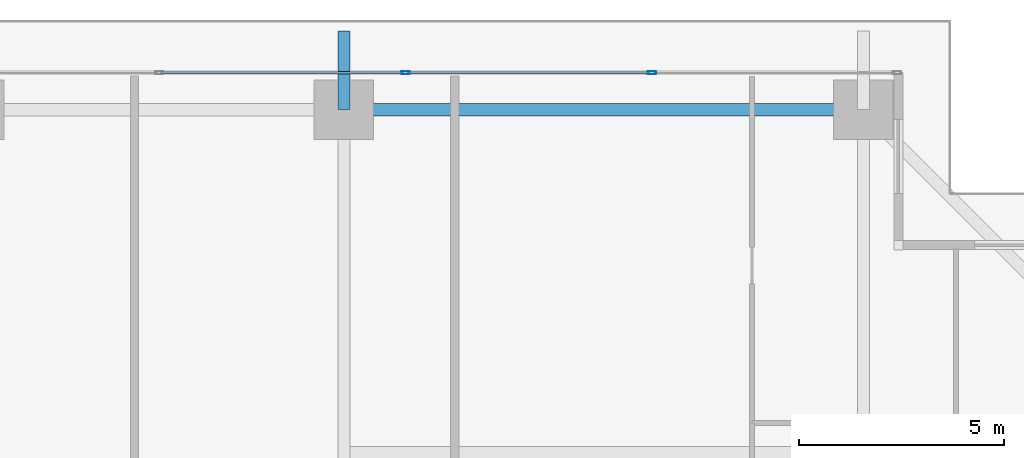
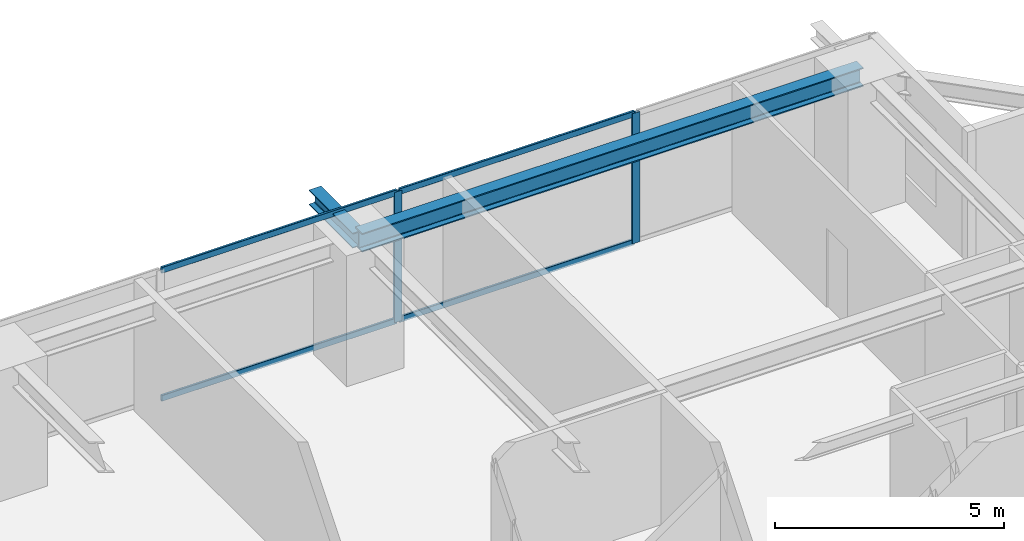
# One storey, part 24 of 40: 6 members, 2 beams, 1 element without a shape of its own.
"""IFC4 building model written with IfcOpenShell, lengths in metres."""

import ifcopenshell
import ifcopenshell.guid

model = None  # the IFC model being written
_history = None  # IfcOwnerHistory: only IFC2X3 demands one
_inside = {}  # id of a spatial element -> (the spatial element, [elements in it])
_under = {}  # id of a project, library or spatial element -> (it, [spatial elements below it])
_declared = {}  # id of a project -> (the project, [libraries it declares])
_typed = {}  # id of a type object -> (the type object, [elements of that type])
_made_of = {}  # id of a material, layer set ... -> (it, [elements and type objects made of it])


def new_model(schema):
    """Start an empty IFC model of exactly this schema.

    Asked for "IFC4X3", IfcOpenShell would pick the latest addendum, in which some entities
    have other attributes; the version numbers below select the first issue.
    IFC2X3 requires an IfcOwnerHistory on every rooted entity: one is made here for all.
    """
    global model, _history
    if schema == "IFC4X3":
        model = ifcopenshell.file(schema_version=(4, 3, 0, 0))
    else:
        model = ifcopenshell.file(schema=schema)
    _inside.clear()
    _under.clear()
    _declared.clear()
    _typed.clear()
    _made_of.clear()
    _history = None
    if model.schema == "IFC2X3":
        org = make("IfcOrganization", Name="unknown")
        user = make(
            "IfcPersonAndOrganization",
            ThePerson=make("IfcPerson", FamilyName="unknown"),
            TheOrganization=org,
        )
        app = make(
            "IfcApplication",
            ApplicationDeveloper=org,
            Version="unknown",
            ApplicationFullName="unknown",
            ApplicationIdentifier="unknown",
        )
        _history = make(
            "IfcOwnerHistory",
            OwningUser=user,
            OwningApplication=app,
            ChangeAction="ADDED",
            CreationDate=0,
        )
    return model


def make(cls, **values):
    """One entity of the class cls with the attributes given. An attribute that is None is left unset."""
    return model.create_entity(
        cls, **{name: value for name, value in values.items() if value is not None}
    )


def rooted(cls, **values):
    """An entity with a GlobalId (a new one), such as an element, a storey or a relation."""
    return make(cls, GlobalId=ifcopenshell.guid.new(), OwnerHistory=_history, **values)


def si_unit(unit_type, name, prefix=None):
    """IfcSIUnit, for example si_unit("LENGTHUNIT", "METRE", prefix="MILLI")."""
    return make("IfcSIUnit", UnitType=unit_type, Prefix=prefix, Name=name)


def assignment(units):
    """IfcUnitAssignment: the units of a project."""
    return None if units is None else make("IfcUnitAssignment", Units=units)


def point(xyz):
    """IfcCartesianPoint."""
    return None if xyz is None else make("IfcCartesianPoint", Coordinates=xyz)


def direction(xyz):
    """IfcDirection."""
    return None if xyz is None else make("IfcDirection", DirectionRatios=xyz)


def frame(location, z_axis=None, x_axis=None):
    """IfcAxis2Placement3D, a coordinate frame: its origin and axes. An axis left out is left unset."""
    return make(
        "IfcAxis2Placement3D",
        Location=point(location),
        Axis=direction(z_axis),
        RefDirection=direction(x_axis),
    )


def frame_2d(location, x_axis=None):
    """IfcAxis2Placement2D, a coordinate frame in the plane: its origin and x axis."""
    return make(
        "IfcAxis2Placement2D", Location=point(location), RefDirection=direction(x_axis)
    )


def origin():
    """The frame at (0, 0, 0) with its axes left unset."""
    return frame((0.0, 0.0, 0.0))


def origin_2d():
    """The frame at (0, 0) in the plane with its x axis left unset."""
    return frame_2d((0.0, 0.0))


def place(relative_to, where):
    """IfcLocalPlacement: puts the frame where relative to a parent placement (None: the world)."""
    return make(
        "IfcLocalPlacement", PlacementRelTo=relative_to, RelativePlacement=where
    )


def context(
    kind, dimensions, precision=None, world=None, true_north=None, identifier=None
):
    """IfcGeometricRepresentationContext, for example the 3D "Model" context."""
    return make(
        "IfcGeometricRepresentationContext",
        ContextIdentifier=identifier,
        ContextType=kind,
        CoordinateSpaceDimension=dimensions,
        Precision=precision,
        WorldCoordinateSystem=world,
        TrueNorth=true_north,
    )


def subcontext(parent, identifier, kind, view, scale=None):
    """IfcGeometricRepresentationSubContext, for example "Body" below "Model"."""
    return make(
        "IfcGeometricRepresentationSubContext",
        ContextIdentifier=identifier,
        ContextType=kind,
        ParentContext=parent,
        TargetScale=scale,
        TargetView=view,
    )


def project(units=None, contexts=None):
    """IfcProject with its units and contexts."""
    return rooted(
        "IfcProject",
        Name="project",
        RepresentationContexts=contexts,
        UnitsInContext=assignment(units),
    )


def spatial(cls, under=None, at=None, **own):
    """A site, building, storey or space (cls), placed at a placement, below another one or the project."""
    s = rooted(cls, ObjectPlacement=at, **own)
    if under is not None:
        _under.setdefault(under.id(), (under, []))[1].append(s)
    return s


def profile(cls, at=None, kind="AREA", **sizes):
    """A parametric profile (cls). Its sizes go by their IFC names, for example OverallWidth=200.0."""
    return make(cls, ProfileType=kind, Position=at, **sizes)


def hollow_rectangle(**sizes):
    """IfcRectangleHollowProfileDef."""
    return profile("IfcRectangleHollowProfileDef", **sizes)


def i_section(**sizes):
    """IfcIShapeProfileDef."""
    return profile("IfcIShapeProfileDef", **sizes)


def extrude(swept, where, along, depth):
    """IfcExtrudedAreaSolid: the profile swept, set in the frame where, extruded along a direction by depth."""
    return make(
        "IfcExtrudedAreaSolid",
        SweptArea=swept,
        Position=where,
        ExtrudedDirection=direction(along),
        Depth=depth,
    )


def shape(context_of_items, identifier, shape_type, items):
    """IfcShapeRepresentation: the items that make up one representation, for example the "Body"."""
    return make(
        "IfcShapeRepresentation",
        ContextOfItems=context_of_items,
        RepresentationIdentifier=identifier,
        RepresentationType=shape_type,
        Items=items,
    )


def source(mapping_origin, context_of_items, identifier, shape_type, items):
    """IfcRepresentationMap: a shape defined once, which mapped items show again and again."""
    return make(
        "IfcRepresentationMap",
        MappingOrigin=mapping_origin,
        MappedRepresentation=shape(context_of_items, identifier, shape_type, items),
    )


def transform(
    local_origin,
    x_axis=None,
    y_axis=None,
    z_axis=None,
    scale=None,
    scale2=None,
    scale3=None,
    uniform=True,
):
    """IfcCartesianTransformationOperator3D, or its non-uniform kind. x_axis, y_axis, z_axis: its Axis1, 2, 3."""
    if uniform:
        return make(
            "IfcCartesianTransformationOperator3D",
            Axis1=direction(x_axis),
            Axis2=direction(y_axis),
            LocalOrigin=point(local_origin),
            Scale=scale,
            Axis3=direction(z_axis),
        )
    return make(
        "IfcCartesianTransformationOperator3DnonUniform",
        Axis1=direction(x_axis),
        Axis2=direction(y_axis),
        LocalOrigin=point(local_origin),
        Scale=scale,
        Axis3=direction(z_axis),
        Scale2=scale2,
        Scale3=scale3,
    )


def mapped(mapping_source, mapping_target):
    """IfcMappedItem: shows the shape of a source again, moved by a transform."""
    return make(
        "IfcMappedItem", MappingSource=mapping_source, MappingTarget=mapping_target
    )


def material(Name=None, Category=None):
    """IfcMaterial."""
    return make("IfcMaterial", Name=Name, Category=Category)


def layer(
    of_material, thickness, ventilated=None, Name=None, Category=None, Priority=None
):
    """IfcMaterialLayer: one layer of a wall or slab, of a material (None: an air gap)."""
    return make(
        "IfcMaterialLayer",
        Material=of_material,
        LayerThickness=thickness,
        IsVentilated=ventilated,
        Name=Name,
        Category=Category,
        Priority=Priority,
    )


def layer_set(layers, Name=None):
    """IfcMaterialLayerSet."""
    return make("IfcMaterialLayerSet", MaterialLayers=layers, LayerSetName=Name)


def material_profile(
    of_material, cross_section, Name=None, Category=None, Priority=None
):
    """IfcMaterialProfile: a cross section and its material."""
    return make(
        "IfcMaterialProfile",
        Name=Name,
        Material=of_material,
        Profile=cross_section,
        Priority=Priority,
        Category=Category,
    )


def profile_set(profiles, Name=None, composite=None):
    """IfcMaterialProfileSet."""
    return make(
        "IfcMaterialProfileSet",
        Name=Name,
        MaterialProfiles=profiles,
        CompositeProfile=composite,
    )


def made_of(thing, what):
    """Note that an element or type object is made of a material, layer set ...; save() writes the relation."""
    if what is not None:
        _made_of.setdefault(what.id(), (what, []))[1].append(thing)
    return thing


def type_object(cls, material=None, **own):
    """A type object (cls), such as IfcWallType, which elements share."""
    return made_of(rooted(cls, **own), material)


def element(
    cls,
    number,
    at=None,
    inside=None,
    cuts=None,
    type_object=None,
    material=None,
    context=None,
    identifier="Body",
    shape_type=None,
    held_by="IfcProductDefinitionShape",
    body=None,
    shapes=None,
    **own,
):
    """One element of the class cls, such as IfcWall. Its Tag is "e" and its number.

    at: its placement. inside: the storey or other place that contains it. cuts: it is an
    opening in that element (IfcRelVoidsElement). A single representation is given by context,
    identifier, shape_type and body (its items); several are given by shapes. held_by: the class
    of the entity that holds the representations. save() writes the other relations.
    """
    e = rooted(cls, Tag="e%d" % number, ObjectPlacement=at, **own)
    if body is not None:
        shapes = [shape(context, identifier, shape_type, body)]
    if shapes is not None:
        e.Representation = make(held_by, Representations=shapes)
    if inside is not None:
        _inside.setdefault(inside.id(), (inside, []))[1].append(e)
    if cuts is not None:
        rooted(
            "IfcRelVoidsElement", RelatingBuildingElement=cuts, RelatedOpeningElement=e
        )
    if type_object is not None:
        _typed.setdefault(type_object.id(), (type_object, []))[1].append(e)
    return made_of(e, material)


def aggregate(whole, parts):
    """IfcRelAggregates: a whole, such as a stair, and the parts it consists of."""
    return rooted("IfcRelAggregates", RelatingObject=whole, RelatedObjects=parts)


def save(model, path):
    """Write the relations noted so far, then the file.

    IfcRelAggregates (storeys below a building ...), IfcRelContainedInSpatialStructure (elements
    in a storey), IfcRelDefinesByType, IfcRelAssociatesMaterial and IfcRelDeclares: one each for
    every whole, place, type object, material and project.
    """
    for whole, parts in _under.values():
        aggregate(whole, parts)
    for where, things in _inside.values():
        rooted(
            "IfcRelContainedInSpatialStructure",
            RelatedElements=things,
            RelatingStructure=where,
        )
    for kind, things in _typed.values():
        rooted("IfcRelDefinesByType", RelatedObjects=things, RelatingType=kind)
    for what, things in _made_of.values():
        rooted("IfcRelAssociatesMaterial", RelatedObjects=things, RelatingMaterial=what)
    for by, libraries in _declared.values():
        rooted("IfcRelDeclares", RelatingContext=by, RelatedDefinitions=libraries)
    model.write(path)


model = new_model("IFC4")

# Units and contexts
model_context = context("Model", 3, precision=1e-05, world=origin(), true_north=direction((0.0, 1.0)))
body_context = subcontext(model_context, "Body", "Model", "MODEL_VIEW")
ifc_project = project(units=[si_unit("LENGTHUNIT", "METRE"), si_unit("AREAUNIT", "SQUARE_METRE"), si_unit("VOLUMEUNIT", "CUBIC_METRE"), si_unit("PLANEANGLEUNIT", "RADIAN"), si_unit("MASSUNIT", "GRAM", prefix="KILO")], contexts=[model_context])

# Site, building, storey
site_placement = place(None, origin())
site = spatial("IfcSite", under=ifc_project, at=site_placement, CompositionType="ELEMENT")
building_placement = place(site_placement, origin())
building = spatial("IfcBuilding", under=site, at=building_placement, Name="Serunith Strait Residences", CompositionType="ELEMENT")
storey_placement = place(building_placement, frame((0.0, 0.0, 90.449951171875)))
storey = spatial("IfcBuildingStorey", under=building, at=storey_placement, Name="L22", CompositionType="ELEMENT", Elevation=90.449951171875)

# Beams
ifc_material_1 = material(Name="Steel S355J2", Category="steel")
ifc_material_profile_1 = material_profile(ifc_material_1, i_section(OverallWidth=0.300048828125, OverallDepth=0.5, WebThickness=0.014404296875, FlangeThickness=0.028076171875, FilletRadius=0.027099609375, at=origin_2d()), Name="HEB 500")
ifc_profile_set_1 = profile_set([ifc_material_profile_1], Name="Steel S355J2")
beam_type_1 = type_object("IfcBeamType", Name="BM-HEB500", PredefinedType="BEAM", material=ifc_profile_set_1)
shared_shape_1 = source(origin(), body_context, "Body", "SweptSolid", [
    extrude(i_section(OverallWidth=0.300048828125, OverallDepth=0.5, WebThickness=0.014404296875, FlangeThickness=0.028076171875, FilletRadius=0.027099609375, at=origin_2d()), origin(), (0.0, 0.0, 1.0), 12.650146484375),
])
beam_1_placement = place(storey_placement, frame((49.550048828125, 49.300048828125, 3.237060546875), z_axis=(-1.0, 0.0, 0.0), x_axis=(0.0, -1.0, 0.0)))
element("IfcBeam", 1, at=beam_1_placement, inside=storey, type_object=beam_type_1, Name="L22 Perimeter Ring Beam 09", PredefinedType="BEAM", context=body_context, shape_type="MappedRepresentation", body=[
    mapped(shared_shape_1, transform((0.0, 0.0, 0.0), scale=1.0)),
])
ifc_material_profile_2 = material_profile(ifc_material_1, i_section(OverallWidth=0.300048828125, OverallDepth=0.39990234375, WebThickness=0.013427734375, FlangeThickness=0.02392578125, FilletRadius=0.027099609375, at=origin_2d()), Name="HEB 400")
ifc_profile_set_2 = profile_set([ifc_material_profile_2], Name="Steel S355J2")
beam_type_2 = type_object("IfcBeamType", Name="BM-HEB400", PredefinedType="BEAM", material=ifc_profile_set_2)
shared_shape_2 = source(origin(), body_context, "Body", "SweptSolid", [
    extrude(i_section(OverallWidth=0.300048828125, OverallDepth=0.39990234375, WebThickness=0.013427734375, FlangeThickness=0.02392578125, FilletRadius=0.027099609375, at=origin_2d()), origin(), (0.0, 0.0, 1.0), 1.909912109375),
])
beam_2_placement = place(storey_placement, frame((36.89990234375, 49.300048828125, 3.257080078125), z_axis=(0.0, 1.0, 0.0), x_axis=(-1.0, 0.0, 0.0)))
element("IfcBeam", 2, at=beam_2_placement, inside=storey, type_object=beam_type_2, Name="L23 Cantilevered Balcony Rib TC-N3", PredefinedType="BEAM", context=body_context, shape_type="MappedRepresentation", body=[
    mapped(shared_shape_2, transform((0.0, 0.0, 0.0), scale=1.0)),
])

# Curtain wall, members
ifc_material_2 = material(Name="Pale-Champagne Anodised Aluminium", Category="aluminium")
ifc_layer = layer(ifc_material_2, 0.199951171875, Name="Pale-Champagne Anodised Aluminium")
ifc_layer_set = layer_set([ifc_layer], Name="Pale-Champagne Anodised Aluminium")
curtain_wall_type = type_object("IfcCurtainWallType", Name="CW-SYS1", PredefinedType="NOTDEFINED", material=ifc_layer_set)
curtain_wall_placement = place(storey_placement, origin())
curtain_wall = element("IfcCurtainWall", 3, at=curtain_wall_placement, inside=storey, type_object=curtain_wall_type, Name="L22 N Unitised Fritted Curtain Wall", PredefinedType="NOTDEFINED")
ifc_material_profile_3 = material_profile(ifc_material_2, hollow_rectangle(XDim=0.070068359375, YDim=0.199951171875, WallThickness=0.00390625, InnerFilletRadius=0.006103515625, OuterFilletRadius=0.010009765625, at=origin_2d()), Name="ALU 200x70x4")
ifc_profile_set_3 = profile_set([ifc_material_profile_3], Name="Pale-Champagne Anodised Aluminium")
member_type_1 = type_object("IfcMemberType", Name="CW-SYS1-MULL", PredefinedType="MULLION", material=ifc_profile_set_3)
shared_shape_3 = source(origin(), body_context, "Body", "SweptSolid", [
    extrude(hollow_rectangle(XDim=0.070068359375, YDim=0.199951171875, WallThickness=0.00390625, InnerFilletRadius=0.006103515625, OuterFilletRadius=0.010009765625, at=origin_2d()), origin(), (0.0, 0.0, 1.0), 3.47509765625),
])
member_1_placement = place(storey_placement, frame((44.39990234375, 50.199951171875, 0.0), z_axis=(0.0, 0.0, 1.0), x_axis=(0.0, -1.0, 0.0)))
member_1 = element("IfcMember", 4, at=member_1_placement, type_object=member_type_1, Name="CW-1 mullion 2", PredefinedType="MULLION", context=body_context, shape_type="MappedRepresentation", body=[
    mapped(shared_shape_3, transform((0.0, 0.0, 0.0), scale=1.0)),
])
member_2_placement = place(storey_placement, frame((38.39990234375, 50.199951171875, 0.0), z_axis=(0.0, 0.0, 1.0), x_axis=(0.0, -1.0, 0.0)))
member_2 = element("IfcMember", 5, at=member_2_placement, type_object=member_type_1, Name="CW-1 mullion 3", PredefinedType="MULLION", context=body_context, shape_type="MappedRepresentation", body=[
    mapped(shared_shape_3, transform((0.0, 0.0, 0.0), scale=1.0)),
])
ifc_material_profile_4 = material_profile(ifc_material_2, hollow_rectangle(XDim=0.06005859375, YDim=0.159912109375, WallThickness=0.00341796875, InnerFilletRadius=0.00537109375, OuterFilletRadius=0.0087890625, at=origin_2d()), Name="ALU 160x60x3.5")
ifc_profile_set_4 = profile_set([ifc_material_profile_4], Name="Pale-Champagne Anodised Aluminium")
member_type_2 = type_object("IfcMemberType", Name="CW-SYS1-TRAN", PredefinedType="USERDEFINED", material=ifc_profile_set_4)
shared_shape_4 = source(origin(), body_context, "Body", "SweptSolid", [
    extrude(hollow_rectangle(XDim=0.06005859375, YDim=0.159912109375, WallThickness=0.00341796875, InnerFilletRadius=0.00537109375, OuterFilletRadius=0.0087890625, at=origin_2d()), origin(), (0.0, 0.0, 1.0), 5.929931640625),
])
member_3_placement = place(storey_placement, frame((44.364990234375, 50.199951171875, 0.030029296875), z_axis=(-1.0, 0.0, 0.0), x_axis=(0.0, -1.0, 0.0)))
member_3 = element("IfcMember", 6, at=member_3_placement, type_object=member_type_2, Name="CW-1 transom 2.1", ObjectType="TRANSOM", PredefinedType="USERDEFINED", context=body_context, shape_type="MappedRepresentation", body=[
    mapped(shared_shape_4, transform((0.0, 0.0, 0.0), scale=1.0)),
])
member_4_placement = place(storey_placement, frame((44.364990234375, 50.199951171875, 3.445068359375), z_axis=(-1.0, 0.0, 0.0), x_axis=(0.0, -1.0, 0.0)))
member_4 = element("IfcMember", 7, at=member_4_placement, type_object=member_type_2, Name="CW-1 transom 2.2", ObjectType="TRANSOM", PredefinedType="USERDEFINED", context=body_context, shape_type="MappedRepresentation", body=[
    mapped(shared_shape_4, transform((0.0, 0.0, 0.0), scale=1.0)),
])
member_5_placement = place(storey_placement, frame((38.364990234375, 50.199951171875, 0.030029296875), z_axis=(-1.0, 0.0, 0.0), x_axis=(0.0, -1.0, 0.0)))
member_5 = element("IfcMember", 8, at=member_5_placement, type_object=member_type_2, Name="CW-1 transom 3.1", ObjectType="TRANSOM", PredefinedType="USERDEFINED", context=body_context, shape_type="MappedRepresentation", body=[
    mapped(shared_shape_4, transform((0.0, 0.0, 0.0), scale=1.0)),
])
member_6_placement = place(storey_placement, frame((38.364990234375, 50.199951171875, 3.445068359375), z_axis=(-1.0, 0.0, 0.0), x_axis=(0.0, -1.0, 0.0)))
member_6 = element("IfcMember", 9, at=member_6_placement, type_object=member_type_2, Name="CW-1 transom 3.2", ObjectType="TRANSOM", PredefinedType="USERDEFINED", context=body_context, shape_type="MappedRepresentation", body=[
    mapped(shared_shape_4, transform((0.0, 0.0, 0.0), scale=1.0)),
])
aggregate(curtain_wall, [member_1, member_2, member_3, member_4, member_5, member_6])

save(model, "model.ifc")
